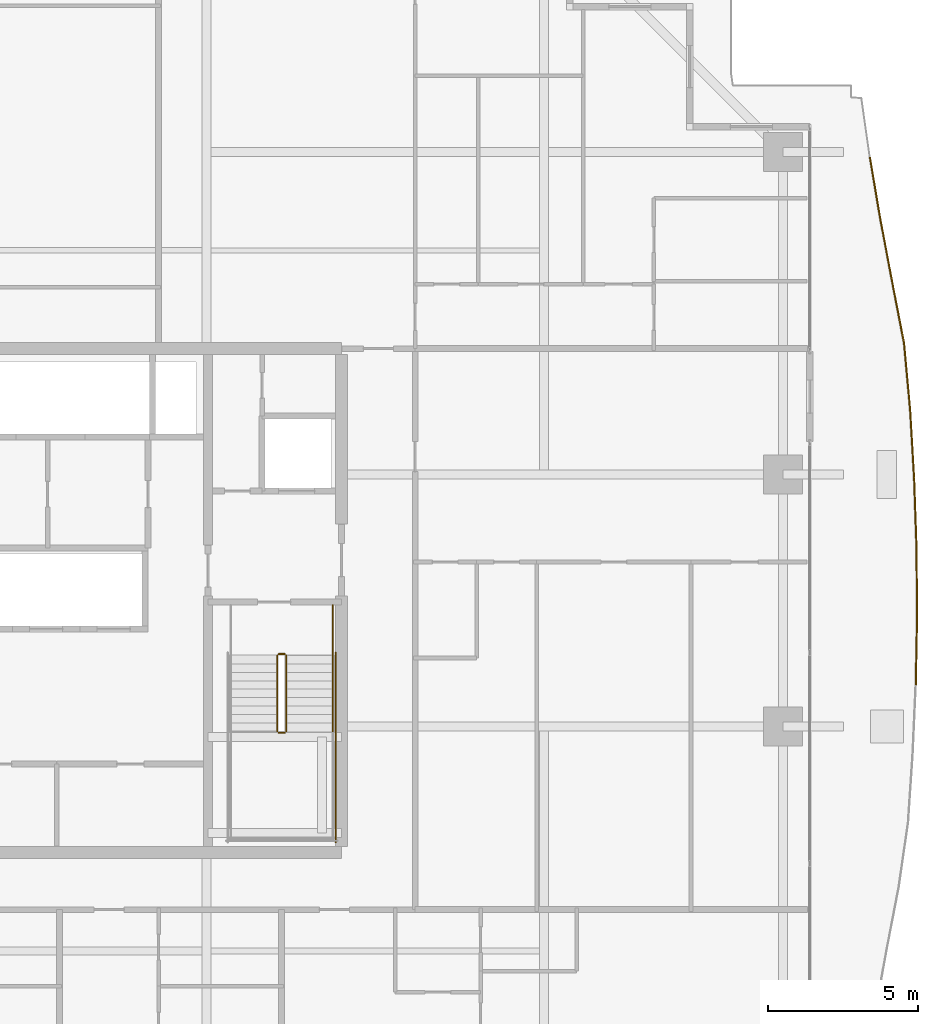
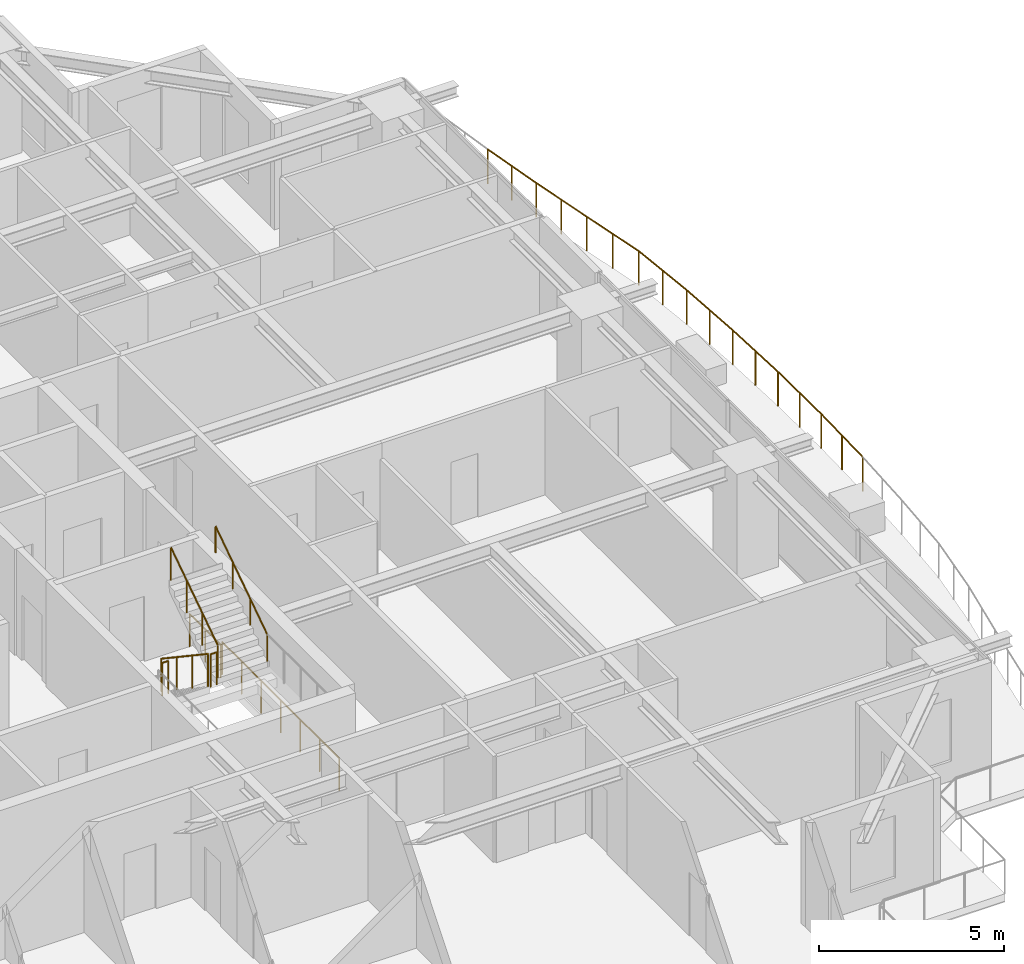
# One storey, part 32 of 33: 8 railings.
"""IFC4 building model written with IfcOpenShell, lengths in metres."""

from ifc_helpers import new_model, si_unit, direction, frame, origin, origin_2d, place, context, subcontext, project, spatial, circle, extrude, material, type_object, element, save


model = new_model("IFC4")

# Units and contexts
model_context = context("Model", 3, precision=1e-05, world=origin(), true_north=direction((0.0, 1.0)))
body_context = subcontext(model_context, "Body", "Model", "MODEL_VIEW")
ifc_project = project(units=[si_unit("LENGTHUNIT", "METRE"), si_unit("AREAUNIT", "SQUARE_METRE"), si_unit("VOLUMEUNIT", "CUBIC_METRE"), si_unit("PLANEANGLEUNIT", "RADIAN"), si_unit("MASSUNIT", "GRAM", prefix="KILO")], contexts=[model_context])

# Site, building, storey
site_placement = place(None, origin())
site = spatial("IfcSite", under=ifc_project, at=site_placement, CompositionType="ELEMENT")
building_placement = place(site_placement, origin())
building = spatial("IfcBuilding", under=site, at=building_placement, Name="Serunith Strait Residences", CompositionType="ELEMENT")
storey_placement = place(building_placement, frame((0.0, 0.0, 150.14990234375)))
storey = spatial("IfcBuildingStorey", under=building, at=storey_placement, Name="L37", CompositionType="ELEMENT", Elevation=150.14990234375)

# Railings
ifc_material_1 = material(Name="Stainless Steel & Laminated Glass Balustrade", Category="steel")
railing_type_1 = type_object("IfcRailingType", Name="RLG-BALC-1150", PredefinedType="BALUSTRADE", material=ifc_material_1)
railing_1_placement = place(storey_placement, frame((59.0078125, 39.964111328125, -0.0498046875)))
element("IfcRailing", 1, at=railing_1_placement, inside=storey, type_object=railing_type_1, Name="L37 Swirling Balcony Perimeter Balustrade 5", PredefinedType="BALUSTRADE", context=body_context, shape_type="SweptSolid", body=[
    extrude(circle(Radius=0.02392578125, at=origin_2d()), frame((0.000244140625, -0.001953125, 1.1259765625), z_axis=(0.166099086564, -0.986109067722, 0.0), x_axis=(0.986109067722, 0.166099086564, 0.0)), (0.0, 0.0, 1.0), 2.044921875),
    extrude(circle(Radius=0.02392578125, at=origin_2d()), frame((0.3408203125, -2.0224609375, 1.1259765625), z_axis=(0.184802405962, -0.98277569707, 0.0), x_axis=(0.98277569707, 0.184802405962, 0.0)), (0.0, 0.0, 1.0), 2.08984375),
    extrude(circle(Radius=0.02392578125, at=origin_2d()), frame((0.727783203125, -4.080322265625, 1.1259765625), z_axis=(0.190117079684, -0.981761425201, 0.0), x_axis=(0.981761425201, 0.190117079684, 0.0)), (0.0, 0.0, 1.0), 2.1494140625),
    extrude(circle(Radius=0.02392578125, at=origin_2d()), frame((1.136962890625, -6.194580078125, 1.1259765625), z_axis=(0.090338997429, -0.99591107311, 0.0), x_axis=(0.99591107311, 0.090338997429, 0.0)), (0.0, 0.0, 1.0), 2.233642578125),
    extrude(circle(Radius=0.02392578125, at=origin_2d()), frame((1.3388671875, -8.423095703125, 1.1259765625), z_axis=(0.058250374907, -0.998302005319, 0.0), x_axis=(0.998302005319, 0.058250374907, 0.0)), (0.0, 0.0, 1.0), 2.271728515625),
    extrude(circle(Radius=0.02392578125, at=origin_2d()), frame((1.471435546875, -10.695068359375, 1.1259765625), z_axis=(0.034524474076, -0.999403852649, 0.0), x_axis=(0.999403852649, 0.034524474076, 0.0)), (0.0, 0.0, 1.0), 2.294189453125),
    extrude(circle(Radius=0.02392578125, at=origin_2d()), frame((1.55078125, -12.991943359375, 1.1259765625), z_axis=(0.008142708044, -0.999966847603, 0.0), x_axis=(0.999966847603, 0.008142708044, 0.0)), (0.0, 0.0, 1.0), 2.3046875),
    extrude(circle(Radius=0.02392578125, at=origin_2d()), frame((1.569580078125, -15.300537109375, 1.1259765625), z_axis=(-0.019058276757, -0.99981837455, 0.0), x_axis=(0.99981837455, -0.019058276757, 0.0)), (0.0, 0.0, 1.0), 2.3017578125),
    extrude(circle(Radius=0.02099609375, at=origin_2d()), origin(), (0.0, 0.0, 1.0), 1.099853515625),
    extrude(circle(Radius=0.02099609375, at=origin_2d()), frame((0.170166015625, -1.01025390625, 0.0)), (0.0, 0.0, 1.0), 1.099853515625),
    extrude(circle(Radius=0.02099609375, at=origin_2d()), frame((0.34033203125, -2.0205078125, 0.0)), (0.0, 0.0, 1.0), 1.099853515625),
    extrude(circle(Radius=0.02099609375, at=origin_2d()), frame((0.53369140625, -3.04931640625, 0.0)), (0.0, 0.0, 1.0), 1.099853515625),
    extrude(circle(Radius=0.02099609375, at=origin_2d()), frame((0.727294921875, -4.078369140625, 0.0)), (0.0, 0.0, 1.0), 1.099853515625),
    extrude(circle(Radius=0.02099609375, at=origin_2d()), frame((0.93212890625, -5.135498046875, 0.0)), (0.0, 0.0, 1.0), 1.099853515625),
    extrude(circle(Radius=0.02099609375, at=origin_2d()), frame((1.13671875, -6.192626953125, 0.0)), (0.0, 0.0, 1.0), 1.099853515625),
    extrude(circle(Radius=0.02099609375, at=origin_2d()), frame((1.23779296875, -7.306884765625, 0.0)), (0.0, 0.0, 1.0), 1.099853515625),
    extrude(circle(Radius=0.02099609375, at=origin_2d()), frame((1.3388671875, -8.421142578125, 0.0)), (0.0, 0.0, 1.0), 1.099853515625),
    extrude(circle(Radius=0.02099609375, at=origin_2d()), frame((1.4052734375, -9.55712890625, 0.0)), (0.0, 0.0, 1.0), 1.099853515625),
    extrude(circle(Radius=0.02099609375, at=origin_2d()), frame((1.471435546875, -10.693115234375, 0.0)), (0.0, 0.0, 1.0), 1.099853515625),
    extrude(circle(Radius=0.02099609375, at=origin_2d()), frame((1.51123046875, -11.841552734375, 0.0)), (0.0, 0.0, 1.0), 1.099853515625),
    extrude(circle(Radius=0.02099609375, at=origin_2d()), frame((1.55078125, -12.989990234375, 0.0)), (0.0, 0.0, 1.0), 1.099853515625),
    extrude(circle(Radius=0.02099609375, at=origin_2d()), frame((1.56005859375, -14.144287109375, 0.0)), (0.0, 0.0, 1.0), 1.099853515625),
    extrude(circle(Radius=0.02099609375, at=origin_2d()), frame((1.569580078125, -15.298583984375, 0.0)), (0.0, 0.0, 1.0), 1.099853515625),
    extrude(circle(Radius=0.02099609375, at=origin_2d()), frame((1.547607421875, -16.451171875, 0.0)), (0.0, 0.0, 1.0), 1.099853515625),
    extrude(circle(Radius=0.02099609375, at=origin_2d()), frame((1.525634765625, -17.60400390625, 0.0)), (0.0, 0.0, 1.0), 1.099853515625),
])
ifc_material_2 = material(Name="Brushed stainless steel 316L", Category="steel")
railing_type_2 = type_object("IfcRailingType", Name="RLG-STAIR-GUARD", PredefinedType="BALUSTRADE", material=ifc_material_2)
railing_2_placement = place(storey_placement, frame((39.25, 23.3701171875, 0.1875)))
element("IfcRailing", 2, at=railing_2_placement, inside=storey, type_object=railing_type_2, Name="L37 ST-2 stair guard 1", PredefinedType="BALUSTRADE", context=body_context, shape_type="SweptSolid", body=[
    extrude(circle(Radius=0.02392578125, at=origin_2d()), frame((0.0, -0.001708984375, 1.0771484375), z_axis=(0.0, -0.830909170722, 0.55640807867), x_axis=(1.0, 0.0, 0.0)), (0.0, 0.0, 1.0), 3.02880859375),
    extrude(circle(Radius=0.02099609375, at=origin_2d()), origin(), (0.0, 0.0, 1.0), 1.050048828125),
    extrude(circle(Radius=0.02099609375, at=origin_2d()), frame((0.0, -0.840087890625, 0.5625)), (0.0, 0.0, 1.0), 1.050048828125),
    extrude(circle(Radius=0.02099609375, at=origin_2d()), frame((0.0, -1.679931640625, 1.125)), (0.0, 0.0, 1.0), 1.050048828125),
    extrude(circle(Radius=0.02099609375, at=origin_2d()), frame((0.0, -2.52001953125, 1.6875)), (0.0, 0.0, 1.0), 1.050048828125),
])
railing_3_placement = place(storey_placement, frame((39.300048828125, 20.800048828125, 1.875)))
element("IfcRailing", 3, at=railing_3_placement, inside=storey, type_object=railing_type_2, Name="L37 ST-2 stair guard 2", PredefinedType="BALUSTRADE", context=body_context, shape_type="SweptSolid", body=[
    extrude(circle(Radius=0.02392578125, at=origin_2d()), frame((0.001953125, 0.0, 1.076171875), z_axis=(1.0, 0.0, 0.0), x_axis=(0.0, 1.0, 0.0)), (0.0, 0.0, 1.0), 0.196044921875),
    extrude(circle(Radius=0.02099609375, at=origin_2d()), origin(), (0.0, 0.0, 1.0), 1.050048828125),
    extrude(circle(Radius=0.02099609375, at=origin_2d()), frame((0.199951171875, 0.0, 0.0)), (0.0, 0.0, 1.0), 1.050048828125),
])
railing_4_placement = place(storey_placement, frame((39.550048828125, 20.85009765625, 2.0625)))
element("IfcRailing", 4, at=railing_4_placement, inside=storey, type_object=railing_type_2, Name="L37 ST-2 stair guard 6", PredefinedType="BALUSTRADE", context=body_context, shape_type="SweptSolid", body=[
    extrude(circle(Radius=0.02392578125, at=origin_2d()), frame((0.0, 0.001708984375, 1.0771484375), z_axis=(0.0, 0.830909170722, 0.55640807867), x_axis=(-1.0, 0.0, 0.0)), (0.0, 0.0, 1.0), 3.02880859375),
    extrude(circle(Radius=0.02099609375, at=origin_2d()), origin(), (0.0, 0.0, 1.0), 1.050048828125),
    extrude(circle(Radius=0.02099609375, at=origin_2d()), frame((0.0, 0.840087890625, 0.5625)), (0.0, 0.0, 1.0), 1.050048828125),
    extrude(circle(Radius=0.02099609375, at=origin_2d()), frame((0.0, 1.679931640625, 1.125)), (0.0, 0.0, 1.0), 1.050048828125),
    extrude(circle(Radius=0.02099609375, at=origin_2d()), frame((0.0, 2.52001953125, 1.6875)), (0.0, 0.0, 1.0), 1.050048828125),
])
railing_5_placement = place(storey_placement, frame((39.300048828125, 23.419921875, 0.0)))
element("IfcRailing", 5, at=railing_5_placement, inside=storey, type_object=railing_type_2, Name="L37 ST-2 stair guard 7", PredefinedType="BALUSTRADE", context=body_context, shape_type="SweptSolid", body=[
    extrude(circle(Radius=0.02392578125, at=origin_2d()), frame((0.001953125, 0.0, 1.076171875), z_axis=(1.0, 0.0, 0.0), x_axis=(0.0, 1.0, 0.0)), (0.0, 0.0, 1.0), 0.196044921875),
    extrude(circle(Radius=0.02099609375, at=origin_2d()), origin(), (0.0, 0.0, 1.0), 1.050048828125),
    extrude(circle(Radius=0.02099609375, at=origin_2d()), frame((0.199951171875, 0.0, 0.0)), (0.0, 0.0, 1.0), 1.050048828125),
])
railing_6_placement = place(storey_placement, frame((41.10009765625, 25.050048828125, 0.0)))
element("IfcRailing", 6, at=railing_6_placement, inside=storey, type_object=railing_type_2, Name="L37 ST-2 stair guard 9", PredefinedType="BALUSTRADE", context=body_context, shape_type="SweptSolid", body=[
    extrude(circle(Radius=0.02392578125, at=origin_2d()), frame((0.0, -0.001953125, 1.076171875), z_axis=(0.0, -1.0, 0.0), x_axis=(1.0, 0.0, 0.0)), (0.0, 0.0, 1.0), 1.676025390625),
    extrude(circle(Radius=0.02099609375, at=origin_2d()), origin(), (0.0, 0.0, 1.0), 1.050048828125),
    extrude(circle(Radius=0.02099609375, at=origin_2d()), frame((0.0, -0.83984375, 0.0)), (0.0, 0.0, 1.0), 1.050048828125),
    extrude(circle(Radius=0.02099609375, at=origin_2d()), frame((0.0, -1.679931640625, 0.0)), (0.0, 0.0, 1.0), 1.050048828125),
])
railing_7_placement = place(storey_placement, frame((41.199951171875, 23.469970703125, 0.0)))
element("IfcRailing", 7, at=railing_7_placement, inside=storey, type_object=railing_type_2, Name="L37 ST-2 stair guard 11", PredefinedType="BALUSTRADE", context=body_context, shape_type="SweptSolid", body=[
    extrude(circle(Radius=0.02392578125, at=origin_2d()), frame((0.0, -0.001953125, 1.076171875), z_axis=(0.0, -1.0, 0.0), x_axis=(1.0, 0.0, 0.0)), (0.0, 0.0, 1.0), 6.316162109375),
    extrude(circle(Radius=0.02099609375, at=origin_2d()), origin(), (0.0, 0.0, 1.0), 1.050048828125),
    extrude(circle(Radius=0.02099609375, at=origin_2d()), frame((0.0, -1.05322265625, 0.0)), (0.0, 0.0, 1.0), 1.050048828125),
    extrude(circle(Radius=0.02099609375, at=origin_2d()), frame((0.0, -2.106689453125, 0.0)), (0.0, 0.0, 1.0), 1.050048828125),
    extrude(circle(Radius=0.02099609375, at=origin_2d()), frame((0.0, -3.16015625, 0.0)), (0.0, 0.0, 1.0), 1.050048828125),
    extrude(circle(Radius=0.02099609375, at=origin_2d()), frame((0.0, -4.21337890625, 0.0)), (0.0, 0.0, 1.0), 1.050048828125),
    extrude(circle(Radius=0.02099609375, at=origin_2d()), frame((0.0, -5.2666015625, 0.0)), (0.0, 0.0, 1.0), 1.050048828125),
    extrude(circle(Radius=0.02099609375, at=origin_2d()), frame((0.0, -6.320068359375, 0.0)), (0.0, 0.0, 1.0), 1.050048828125),
])
railing_type_3 = type_object("IfcRailingType", Name="RLG-STAIR-HR", PredefinedType="HANDRAIL", material=ifc_material_2)
railing_8_placement = place(storey_placement, frame((41.10009765625, 20.85009765625, 2.0625)))
element("IfcRailing", 8, at=railing_8_placement, inside=storey, type_object=railing_type_3, Name="L37 ST-2 stair handrail 2", PredefinedType="HANDRAIL", context=body_context, shape_type="SweptSolid", body=[
    extrude(circle(Radius=0.02392578125, at=origin_2d()), frame((0.0, 0.001708984375, 0.876953125), z_axis=(0.0, 0.830185712471, 0.557486935101), x_axis=(-1.0, 0.0, 0.0)), (0.0, 0.0, 1.0), 3.368408203125),
    extrude(circle(Radius=0.02099609375, at=origin_2d()), origin(), (0.0, 0.0, 1.0), 0.849853515625),
    extrude(circle(Radius=0.02099609375, at=origin_2d()), frame((0.0, 0.933349609375, 0.626708984375)), (0.0, 0.0, 1.0), 0.849853515625),
    extrude(circle(Radius=0.02099609375, at=origin_2d()), frame((0.0, 1.866455078125, 1.25341796875)), (0.0, 0.0, 1.0), 0.849853515625),
    extrude(circle(Radius=0.02099609375, at=origin_2d()), frame((0.0, 2.7998046875, 1.880126953125)), (0.0, 0.0, 1.0), 0.849853515625),
])

save(model, "model.ifc")
